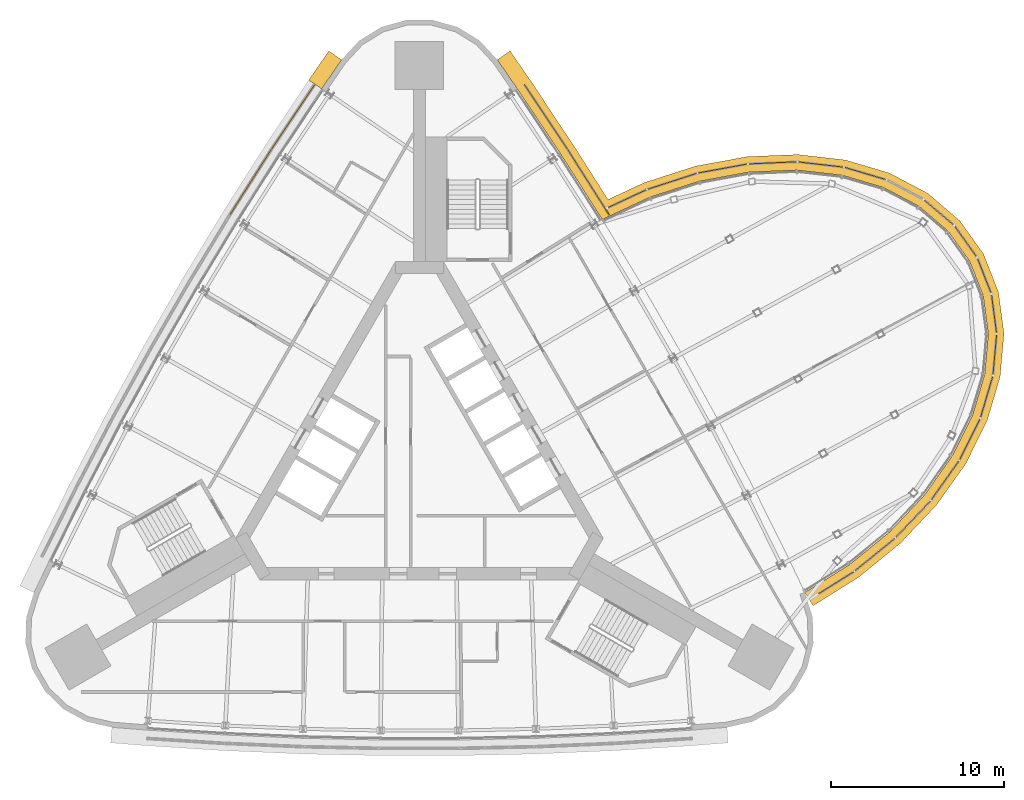
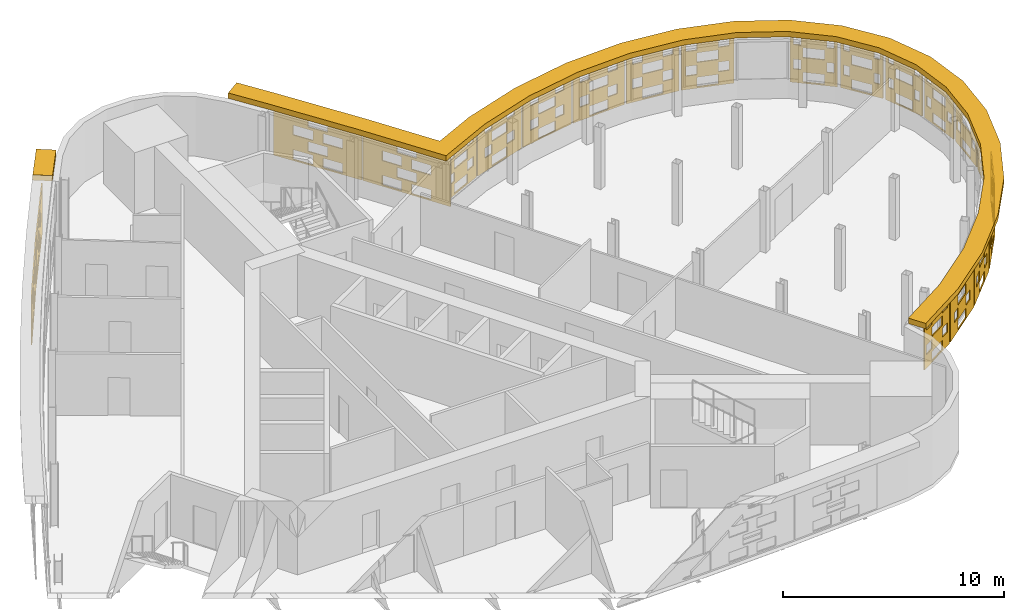
# One storey, part 14 of 15: 23 shading devices.
"""IFC4 building model written with IfcOpenShell, lengths in metres."""

import ifcopenshell
import ifcopenshell.guid

model = None  # the IFC model being written
_history = None  # IfcOwnerHistory: only IFC2X3 demands one
_inside = {}  # id of a spatial element -> (the spatial element, [elements in it])
_under = {}  # id of a project, library or spatial element -> (it, [spatial elements below it])
_declared = {}  # id of a project -> (the project, [libraries it declares])
_typed = {}  # id of a type object -> (the type object, [elements of that type])
_made_of = {}  # id of a material, layer set ... -> (it, [elements and type objects made of it])


def new_model(schema):
    """Start an empty IFC model of exactly this schema.

    Asked for "IFC4X3", IfcOpenShell would pick the latest addendum, in which some entities
    have other attributes; the version numbers below select the first issue.
    IFC2X3 requires an IfcOwnerHistory on every rooted entity: one is made here for all.
    """
    global model, _history
    if schema == "IFC4X3":
        model = ifcopenshell.file(schema_version=(4, 3, 0, 0))
    else:
        model = ifcopenshell.file(schema=schema)
    _inside.clear()
    _under.clear()
    _declared.clear()
    _typed.clear()
    _made_of.clear()
    _history = None
    if model.schema == "IFC2X3":
        org = make("IfcOrganization", Name="unknown")
        user = make(
            "IfcPersonAndOrganization",
            ThePerson=make("IfcPerson", FamilyName="unknown"),
            TheOrganization=org,
        )
        app = make(
            "IfcApplication",
            ApplicationDeveloper=org,
            Version="unknown",
            ApplicationFullName="unknown",
            ApplicationIdentifier="unknown",
        )
        _history = make(
            "IfcOwnerHistory",
            OwningUser=user,
            OwningApplication=app,
            ChangeAction="ADDED",
            CreationDate=0,
        )
    return model


def make(cls, **values):
    """One entity of the class cls with the attributes given. An attribute that is None is left unset."""
    return model.create_entity(
        cls, **{name: value for name, value in values.items() if value is not None}
    )


def rooted(cls, **values):
    """An entity with a GlobalId (a new one), such as an element, a storey or a relation."""
    return make(cls, GlobalId=ifcopenshell.guid.new(), OwnerHistory=_history, **values)


def si_unit(unit_type, name, prefix=None):
    """IfcSIUnit, for example si_unit("LENGTHUNIT", "METRE", prefix="MILLI")."""
    return make("IfcSIUnit", UnitType=unit_type, Prefix=prefix, Name=name)


def assignment(units):
    """IfcUnitAssignment: the units of a project."""
    return None if units is None else make("IfcUnitAssignment", Units=units)


def point(xyz):
    """IfcCartesianPoint."""
    return None if xyz is None else make("IfcCartesianPoint", Coordinates=xyz)


def direction(xyz):
    """IfcDirection."""
    return None if xyz is None else make("IfcDirection", DirectionRatios=xyz)


def frame(location, z_axis=None, x_axis=None):
    """IfcAxis2Placement3D, a coordinate frame: its origin and axes. An axis left out is left unset."""
    return make(
        "IfcAxis2Placement3D",
        Location=point(location),
        Axis=direction(z_axis),
        RefDirection=direction(x_axis),
    )


def origin():
    """The frame at (0, 0, 0) with its axes left unset."""
    return frame((0.0, 0.0, 0.0))


def place(relative_to, where):
    """IfcLocalPlacement: puts the frame where relative to a parent placement (None: the world)."""
    return make(
        "IfcLocalPlacement", PlacementRelTo=relative_to, RelativePlacement=where
    )


def context(
    kind, dimensions, precision=None, world=None, true_north=None, identifier=None
):
    """IfcGeometricRepresentationContext, for example the 3D "Model" context."""
    return make(
        "IfcGeometricRepresentationContext",
        ContextIdentifier=identifier,
        ContextType=kind,
        CoordinateSpaceDimension=dimensions,
        Precision=precision,
        WorldCoordinateSystem=world,
        TrueNorth=true_north,
    )


def subcontext(parent, identifier, kind, view, scale=None):
    """IfcGeometricRepresentationSubContext, for example "Body" below "Model"."""
    return make(
        "IfcGeometricRepresentationSubContext",
        ContextIdentifier=identifier,
        ContextType=kind,
        ParentContext=parent,
        TargetScale=scale,
        TargetView=view,
    )


def project(units=None, contexts=None):
    """IfcProject with its units and contexts."""
    return rooted(
        "IfcProject",
        Name="project",
        RepresentationContexts=contexts,
        UnitsInContext=assignment(units),
    )


def spatial(cls, under=None, at=None, **own):
    """A site, building, storey or space (cls), placed at a placement, below another one or the project."""
    s = rooted(cls, ObjectPlacement=at, **own)
    if under is not None:
        _under.setdefault(under.id(), (under, []))[1].append(s)
    return s


def polyline(points):
    """IfcPolyline through the points."""
    return make("IfcPolyline", Points=[point(p) for p in points])


def outline(outer, holes=None, kind="AREA"):
    """IfcArbitraryClosedProfileDef: a profile drawn as a closed curve; with holes, ...WithVoids."""
    if holes is None:
        return make("IfcArbitraryClosedProfileDef", ProfileType=kind, OuterCurve=outer)
    return make(
        "IfcArbitraryProfileDefWithVoids",
        ProfileType=kind,
        OuterCurve=outer,
        InnerCurves=holes,
    )


def extrude(swept, where, along, depth):
    """IfcExtrudedAreaSolid: the profile swept, set in the frame where, extruded along a direction by depth."""
    return make(
        "IfcExtrudedAreaSolid",
        SweptArea=swept,
        Position=where,
        ExtrudedDirection=direction(along),
        Depth=depth,
    )


def shape(context_of_items, identifier, shape_type, items):
    """IfcShapeRepresentation: the items that make up one representation, for example the "Body"."""
    return make(
        "IfcShapeRepresentation",
        ContextOfItems=context_of_items,
        RepresentationIdentifier=identifier,
        RepresentationType=shape_type,
        Items=items,
    )


def material(Name=None, Category=None):
    """IfcMaterial."""
    return make("IfcMaterial", Name=Name, Category=Category)


def layer(
    of_material, thickness, ventilated=None, Name=None, Category=None, Priority=None
):
    """IfcMaterialLayer: one layer of a wall or slab, of a material (None: an air gap)."""
    return make(
        "IfcMaterialLayer",
        Material=of_material,
        LayerThickness=thickness,
        IsVentilated=ventilated,
        Name=Name,
        Category=Category,
        Priority=Priority,
    )


def layer_set(layers, Name=None):
    """IfcMaterialLayerSet."""
    return make("IfcMaterialLayerSet", MaterialLayers=layers, LayerSetName=Name)


def material_profile(
    of_material, cross_section, Name=None, Category=None, Priority=None
):
    """IfcMaterialProfile: a cross section and its material."""
    return make(
        "IfcMaterialProfile",
        Name=Name,
        Material=of_material,
        Profile=cross_section,
        Priority=Priority,
        Category=Category,
    )


def profile_set(profiles, Name=None, composite=None):
    """IfcMaterialProfileSet."""
    return make(
        "IfcMaterialProfileSet",
        Name=Name,
        MaterialProfiles=profiles,
        CompositeProfile=composite,
    )


def made_of(thing, what):
    """Note that an element or type object is made of a material, layer set ...; save() writes the relation."""
    if what is not None:
        _made_of.setdefault(what.id(), (what, []))[1].append(thing)
    return thing


def type_object(cls, material=None, **own):
    """A type object (cls), such as IfcWallType, which elements share."""
    return made_of(rooted(cls, **own), material)


def element(
    cls,
    number,
    at=None,
    inside=None,
    cuts=None,
    type_object=None,
    material=None,
    context=None,
    identifier="Body",
    shape_type=None,
    held_by="IfcProductDefinitionShape",
    body=None,
    shapes=None,
    **own,
):
    """One element of the class cls, such as IfcWall. Its Tag is "e" and its number.

    at: its placement. inside: the storey or other place that contains it. cuts: it is an
    opening in that element (IfcRelVoidsElement). A single representation is given by context,
    identifier, shape_type and body (its items); several are given by shapes. held_by: the class
    of the entity that holds the representations. save() writes the other relations.
    """
    e = rooted(cls, Tag="e%d" % number, ObjectPlacement=at, **own)
    if body is not None:
        shapes = [shape(context, identifier, shape_type, body)]
    if shapes is not None:
        e.Representation = make(held_by, Representations=shapes)
    if inside is not None:
        _inside.setdefault(inside.id(), (inside, []))[1].append(e)
    if cuts is not None:
        rooted(
            "IfcRelVoidsElement", RelatingBuildingElement=cuts, RelatedOpeningElement=e
        )
    if type_object is not None:
        _typed.setdefault(type_object.id(), (type_object, []))[1].append(e)
    return made_of(e, material)


def aggregate(whole, parts):
    """IfcRelAggregates: a whole, such as a stair, and the parts it consists of."""
    return rooted("IfcRelAggregates", RelatingObject=whole, RelatedObjects=parts)


def save(model, path):
    """Write the relations noted so far, then the file.

    IfcRelAggregates (storeys below a building ...), IfcRelContainedInSpatialStructure (elements
    in a storey), IfcRelDefinesByType, IfcRelAssociatesMaterial and IfcRelDeclares: one each for
    every whole, place, type object, material and project.
    """
    for whole, parts in _under.values():
        aggregate(whole, parts)
    for where, things in _inside.values():
        rooted(
            "IfcRelContainedInSpatialStructure",
            RelatedElements=things,
            RelatingStructure=where,
        )
    for kind, things in _typed.values():
        rooted("IfcRelDefinesByType", RelatedObjects=things, RelatingType=kind)
    for what, things in _made_of.values():
        rooted("IfcRelAssociatesMaterial", RelatedObjects=things, RelatingMaterial=what)
    for by, libraries in _declared.values():
        rooted("IfcRelDeclares", RelatingContext=by, RelatedDefinitions=libraries)
    model.write(path)


model = new_model("IFC4")

# Units and contexts
model_context = context("Model", 3, precision=1e-05, world=origin(), true_north=direction((0.0, 1.0)))
body_context = subcontext(model_context, "Body", "Model", "MODEL_VIEW")
ifc_project = project(units=[si_unit("LENGTHUNIT", "METRE"), si_unit("AREAUNIT", "SQUARE_METRE"), si_unit("VOLUMEUNIT", "CUBIC_METRE"), si_unit("PLANEANGLEUNIT", "RADIAN"), si_unit("MASSUNIT", "GRAM", prefix="KILO")], contexts=[model_context])

# Site, building, storey
site_placement = place(None, origin())
site = spatial("IfcSite", under=ifc_project, at=site_placement, CompositionType="ELEMENT")
building_placement = place(site_placement, origin())
building = spatial("IfcBuilding", under=site, at=building_placement, Name="Noor Cloister Tower", CompositionType="ELEMENT")
storey_placement = place(building_placement, frame((0.0, 0.0, 177.89990234375)))
storey = spatial("IfcBuildingStorey", under=building, at=storey_placement, Name="L45", CompositionType="ELEMENT", Elevation=177.89990234375)

# Shading devices
ifc_material_1 = material(Name="Limestone", Category="masonry")
ifc_material_profile = material_profile(ifc_material_1, outline(polyline([(-2.22998046875, -1.35009765625), (2.22998046875, -1.35009765625), (2.22998046875, 1.35009765625), (-2.22998046875, 1.35009765625), (-2.22998046875, -1.35009765625)]), holes=[polyline([(-1.25, -1.282470703125), (-0.25, -1.282470703125), (-0.25, -0.742431640625), (-1.25, -0.742431640625), (-1.25, -1.282470703125)]), polyline([(0.25, -1.282470703125), (1.25, -1.282470703125), (1.25, -0.742431640625), (0.25, -0.742431640625), (0.25, -1.282470703125)]), polyline([(-0.5, -0.607421875), (0.5, -0.607421875), (0.5, -0.0673828125), (-0.5, -0.0673828125), (-0.5, -0.607421875)]), polyline([(-1.25, 0.0673828125), (-0.25, 0.0673828125), (-0.25, 0.607421875), (-1.25, 0.607421875), (-1.25, 0.0673828125)]), polyline([(0.25, 0.0673828125), (1.25, 0.0673828125), (1.25, 0.607421875), (0.25, 0.607421875), (0.25, 0.0673828125)]), polyline([(-0.5, 0.742431640625), (0.5, 0.742431640625), (0.5, 1.282470703125), (-0.5, 1.282470703125), (-0.5, 0.742431640625)])]), Name="Woven screen 32 percent open")
ifc_profile_set = profile_set([ifc_material_profile], Name="Limestone")
shading_device_type_1 = type_object("IfcShadingDeviceType", Name="SCREEN woven limestone 32 percent open", PredefinedType="USERDEFINED", material=ifc_profile_set)
shading_device_1_placement = place(storey_placement, frame((-7.2734375, 19.809326171875, 1.85009765625), z_axis=(-0.832050294338, 0.554700196225, 0.0), x_axis=(-0.554700196225, -0.832050294338, 0.0)))
element("IfcShadingDevice", 1, at=shading_device_1_placement, inside=storey, type_object=shading_device_type_1, Name="SCREEN L45 1", ObjectType="SCREEN", PredefinedType="USERDEFINED", context=body_context, shape_type="SweptSolid", body=[
    extrude(outline(polyline([(-2.22998046875, -1.35009765625), (2.22998046875, -1.35009765625), (2.22998046875, 1.35009765625), (-2.22998046875, 1.35009765625), (-2.22998046875, -1.35009765625)]), holes=[polyline([(-1.25, -1.282470703125), (-0.25, -1.282470703125), (-0.25, -0.742431640625), (-1.25, -0.742431640625), (-1.25, -1.282470703125)]), polyline([(0.25, -1.282470703125), (1.25, -1.282470703125), (1.25, -0.742431640625), (0.25, -0.742431640625), (0.25, -1.282470703125)]), polyline([(-0.5, -0.607421875), (0.5, -0.607421875), (0.5, -0.0673828125), (-0.5, -0.0673828125), (-0.5, -0.607421875)]), polyline([(-1.25, 0.0673828125), (-0.25, 0.0673828125), (-0.25, 0.607421875), (-1.25, 0.607421875), (-1.25, 0.0673828125)]), polyline([(0.25, 0.0673828125), (1.25, 0.0673828125), (1.25, 0.607421875), (0.25, 0.607421875), (0.25, 0.0673828125)]), polyline([(-0.5, 0.742431640625), (0.5, 0.742431640625), (0.5, 1.282470703125), (-0.5, 1.282470703125), (-0.5, 0.742431640625)])]), origin(), (0.0, 0.0, 1.0), 0.059814453125),
])
for number, where, z_axis, x_axis, name in (
    (2, (-9.7314453125, 16.029052734375, 1.85009765625), (-0.844329420183, 0.535824439731, 0.0), (-0.535824439731, -0.844329420183, 0.0), "SCREEN L45 2"),
    (3, (9.7314453125, 16.029052734375, 1.85009765625), (0.844329420183, 0.535824439731, 0.0), (-0.535824439731, 0.844329420183, 0.0), "SCREEN L45 19"),
):
    element("IfcShadingDevice", number, at=place(storey_placement, frame(where, z_axis=z_axis, x_axis=x_axis)), inside=storey, type_object=shading_device_type_1, Name=name, ObjectType="SCREEN", PredefinedType="USERDEFINED", context=body_context, shape_type="SweptSolid", body=[
        extrude(outline(polyline([(-2.22998046875, -1.35009765625), (2.22998046875, -1.35009765625), (2.22998046875, 1.35009765625), (-2.22998046875, 1.35009765625), (-2.22998046875, -1.35009765625)]), holes=[polyline([(-1.25, -1.282470703125), (-0.25, -1.282470703125), (-0.25, -0.742431640625), (-1.25, -0.742431640625), (-1.25, -1.282470703125)]), polyline([(0.25, -1.282470703125), (1.25, -1.282470703125), (1.25, -0.742431640625), (0.25, -0.742431640625), (0.25, -1.282470703125)]), polyline([(-0.5, -0.607421875), (0.5, -0.607421875), (0.5, -0.0673828125), (-0.5, -0.0673828125), (-0.5, -0.607421875)]), polyline([(-1.25, 0.0673828125), (-0.25, 0.0673828125), (-0.25, 0.607421875), (-1.25, 0.607421875), (-1.25, 0.0673828125)]), polyline([(0.25, 0.0673828125), (1.25, 0.0673828125), (1.25, 0.607421875), (0.25, 0.607421875), (0.25, 0.0673828125)]), polyline([(-0.5, 0.742431640625), (0.5, 0.742431640625), (0.5, 1.282470703125), (-0.5, 1.282470703125), (-0.5, 0.742431640625)])]), origin(), (0.0, 0.0, 1.0), 0.06005859375),
    ])
shading_device_2_placement = place(storey_placement, frame((7.2734375, 19.809326171875, 1.85009765625), z_axis=(0.832050294338, 0.554700196225, 0.0), x_axis=(-0.554700196225, 0.832050294338, 0.0)))
element("IfcShadingDevice", 4, at=shading_device_2_placement, inside=storey, type_object=shading_device_type_1, Name="SCREEN L45 20", ObjectType="SCREEN", PredefinedType="USERDEFINED", context=body_context, shape_type="SweptSolid", body=[
    extrude(outline(polyline([(-2.22998046875, -1.35009765625), (2.22998046875, -1.35009765625), (2.22998046875, 1.35009765625), (-2.22998046875, 1.35009765625), (-2.22998046875, -1.35009765625)]), holes=[polyline([(-1.25, -1.282470703125), (-0.25, -1.282470703125), (-0.25, -0.742431640625), (-1.25, -0.742431640625), (-1.25, -1.282470703125)]), polyline([(0.25, -1.282470703125), (1.25, -1.282470703125), (1.25, -0.742431640625), (0.25, -0.742431640625), (0.25, -1.282470703125)]), polyline([(-0.5, -0.607421875), (0.5, -0.607421875), (0.5, -0.0673828125), (-0.5, -0.0673828125), (-0.5, -0.607421875)]), polyline([(-1.25, 0.0673828125), (-0.25, 0.0673828125), (-0.25, 0.607421875), (-1.25, 0.607421875), (-1.25, 0.0673828125)]), polyline([(0.25, 0.0673828125), (1.25, 0.0673828125), (1.25, 0.607421875), (0.25, 0.607421875), (0.25, 0.0673828125)]), polyline([(-0.5, 0.742431640625), (0.5, 0.742431640625), (0.5, 1.282470703125), (-0.5, 1.282470703125), (-0.5, 0.742431640625)])]), origin(), (0.0, 0.0, 1.0), 0.059814453125),
])
ifc_material_2 = material(Name="Limestone", Category="masonry")
ifc_layer = layer(ifc_material_2, 0.06005859375)
ifc_layer_set = layer_set([ifc_layer], Name="SCREEN woven limestone pod 32 percent open")
shading_device_type_2 = type_object("IfcShadingDeviceType", Name="SCREEN woven limestone pod 32 percent open", PredefinedType="USERDEFINED", material=ifc_layer_set)
shading_device_3_placement = place(storey_placement, frame((24.048583984375, -7.07763671875, 1.85009765625), z_axis=(0.529998940003, -0.847998304005, 0.0), x_axis=(0.847998304005, 0.529998940003, 0.0)))
element("IfcShadingDevice", 5, at=shading_device_3_placement, inside=storey, type_object=shading_device_type_2, Name="SCREEN L45 1", ObjectType="SCREEN", PredefinedType="USERDEFINED", context=body_context, shape_type="SweptSolid", body=[
    extrude(outline(polyline([(-1.202392578125, -1.35009765625), (1.202392578125, -1.35009765625), (1.202392578125, 1.35009765625), (-1.202392578125, 1.35009765625), (-1.202392578125, -1.35009765625)]), holes=[polyline([(-0.5, -1.272216796875), (0.5, -1.272216796875), (0.5, -0.7529296875), (-0.5, -0.7529296875), (-0.5, -1.272216796875)]), polyline([(-1.0, -0.59716796875), (-0.5, -0.59716796875), (-0.5, -0.077880859375), (-1.0, -0.077880859375), (-1.0, -0.59716796875)]), polyline([(0.5, -0.59716796875), (1.0, -0.59716796875), (1.0, -0.077880859375), (0.5, -0.077880859375), (0.5, -0.59716796875)]), polyline([(-0.5, 0.077880859375), (0.5, 0.077880859375), (0.5, 0.59716796875), (-0.5, 0.59716796875), (-0.5, 0.077880859375)]), polyline([(-1.0, 0.7529296875), (-0.5, 0.7529296875), (-0.5, 1.272216796875), (-1.0, 1.272216796875), (-1.0, 0.7529296875)]), polyline([(0.5, 0.7529296875), (1.0, 0.7529296875), (1.0, 1.272216796875), (0.5, 1.272216796875), (0.5, 0.7529296875)])]), origin(), (0.0, 0.0, 1.0), 0.059814453125),
])
shading_device_4_placement = place(storey_placement, frame((26.29296875, -5.45068359375, 1.85009765625), z_axis=(0.630133366333, -0.776486922384, 0.0), x_axis=(0.776486922384, 0.630133366333, 0.0)))
element("IfcShadingDevice", 6, at=shading_device_4_placement, inside=storey, type_object=shading_device_type_2, Name="SCREEN L45 2", ObjectType="SCREEN", PredefinedType="USERDEFINED", context=body_context, shape_type="SweptSolid", body=[
    extrude(outline(polyline([(-1.47900390625, -1.35009765625), (1.47900390625, -1.35009765625), (1.47900390625, 1.35009765625), (-1.47900390625, 1.35009765625), (-1.47900390625, -1.35009765625)]), holes=[polyline([(-0.5, -1.282470703125), (0.5, -1.282470703125), (0.5, -0.742431640625), (-0.5, -0.742431640625), (-0.5, -1.282470703125)]), polyline([(-1.0, -0.607421875), (-0.5, -0.607421875), (-0.5, -0.0673828125), (-1.0, -0.0673828125), (-1.0, -0.607421875)]), polyline([(0.5, -0.607421875), (1.0, -0.607421875), (1.0, -0.0673828125), (0.5, -0.0673828125), (0.5, -0.607421875)]), polyline([(-0.5, 0.0673828125), (0.5, 0.0673828125), (0.5, 0.607421875), (-0.5, 0.607421875), (-0.5, 0.0673828125)]), polyline([(-1.0, 0.742431640625), (-0.5, 0.742431640625), (-0.5, 1.282470703125), (-1.0, 1.282470703125), (-1.0, 0.742431640625)]), polyline([(0.5, 0.742431640625), (1.0, 0.742431640625), (1.0, 1.282470703125), (0.5, 1.282470703125), (0.5, 0.742431640625)])]), origin(), (0.0, 0.0, 1.0), 0.06005859375),
])
shading_device_5_placement = place(storey_placement, frame((28.49755859375, -3.40771484375, 1.85009765625), z_axis=(0.725202842945, -0.688535283471, 0.0), x_axis=(0.688535283471, 0.725202842945, 0.0)))
element("IfcShadingDevice", 7, at=shading_device_5_placement, inside=storey, type_object=shading_device_type_2, Name="SCREEN L45 3", ObjectType="SCREEN", PredefinedType="USERDEFINED", context=body_context, shape_type="SweptSolid", body=[
    extrude(outline(polyline([(-1.434326171875, -1.35009765625), (1.434326171875, -1.35009765625), (1.434326171875, 1.35009765625), (-1.434326171875, 1.35009765625), (-1.434326171875, -1.35009765625)]), holes=[polyline([(-0.5, -1.282470703125), (0.5, -1.282470703125), (0.5, -0.742431640625), (-0.5, -0.742431640625), (-0.5, -1.282470703125)]), polyline([(-1.0, -0.607421875), (-0.5, -0.607421875), (-0.5, -0.0673828125), (-1.0, -0.0673828125), (-1.0, -0.607421875)]), polyline([(0.5, -0.607421875), (1.0, -0.607421875), (1.0, -0.0673828125), (0.5, -0.0673828125), (0.5, -0.607421875)]), polyline([(-0.5, 0.0673828125), (0.5, 0.0673828125), (0.5, 0.607421875), (-0.5, 0.607421875), (-0.5, 0.0673828125)]), polyline([(-1.0, 0.742431640625), (-0.5, 0.742431640625), (-0.5, 1.282470703125), (-1.0, 1.282470703125), (-1.0, 0.742431640625)]), polyline([(0.5, 0.742431640625), (1.0, 0.742431640625), (1.0, 1.282470703125), (0.5, 1.282470703125), (0.5, 0.742431640625)])]), origin(), (0.0, 0.0, 1.0), 0.059814453125),
])
shading_device_6_placement = place(storey_placement, frame((30.341796875, -1.167236328125, 1.85009765625), z_axis=(0.81538298462, -0.57892191908, 0.0), x_axis=(0.57892191908, 0.81538298462, 0.0)))
element("IfcShadingDevice", 8, at=shading_device_6_placement, inside=storey, type_object=shading_device_type_2, Name="SCREEN L45 4", ObjectType="SCREEN", PredefinedType="USERDEFINED", context=body_context, shape_type="SweptSolid", body=[
    extrude(outline(polyline([(-1.37158203125, -1.35009765625), (1.37158203125, -1.35009765625), (1.37158203125, 1.35009765625), (-1.37158203125, 1.35009765625), (-1.37158203125, -1.35009765625)]), holes=[polyline([(-0.5, -1.282470703125), (0.5, -1.282470703125), (0.5, -0.742431640625), (-0.5, -0.742431640625), (-0.5, -1.282470703125)]), polyline([(-1.0, -0.607421875), (-0.5, -0.607421875), (-0.5, -0.0673828125), (-1.0, -0.0673828125), (-1.0, -0.607421875)]), polyline([(0.5, -0.607421875), (1.0, -0.607421875), (1.0, -0.0673828125), (0.5, -0.0673828125), (0.5, -0.607421875)]), polyline([(-0.5, 0.0673828125), (0.5, 0.0673828125), (0.5, 0.607421875), (-0.5, 0.607421875), (-0.5, 0.0673828125)]), polyline([(-1.0, 0.742431640625), (-0.5, 0.742431640625), (-0.5, 1.282470703125), (-1.0, 1.282470703125), (-1.0, 0.742431640625)]), polyline([(0.5, 0.742431640625), (1.0, 0.742431640625), (1.0, 1.282470703125), (0.5, 1.282470703125), (0.5, 0.742431640625)])]), origin(), (0.0, 0.0, 1.0), 0.059814453125),
])
shading_device_7_placement = place(storey_placement, frame((31.769775390625, 1.20654296875, 1.85009765625), z_axis=(0.894427191, -0.4472135955, 0.0), x_axis=(0.4472135955, 0.894427191, 0.0)))
element("IfcShadingDevice", 9, at=shading_device_7_placement, inside=storey, type_object=shading_device_type_2, Name="SCREEN L45 5", ObjectType="SCREEN", PredefinedType="USERDEFINED", context=body_context, shape_type="SweptSolid", body=[
    extrude(outline(polyline([(-1.296875, -1.35009765625), (1.296875, -1.35009765625), (1.296875, 1.35009765625), (-1.296875, 1.35009765625), (-1.296875, -1.35009765625)]), holes=[polyline([(-0.5, -1.282470703125), (0.5, -1.282470703125), (0.5, -0.742431640625), (-0.5, -0.742431640625), (-0.5, -1.282470703125)]), polyline([(-1.0, -0.607421875), (-0.5, -0.607421875), (-0.5, -0.0673828125), (-1.0, -0.0673828125), (-1.0, -0.607421875)]), polyline([(0.5, -0.607421875), (1.0, -0.607421875), (1.0, -0.0673828125), (0.5, -0.0673828125), (0.5, -0.607421875)]), polyline([(-0.5, 0.0673828125), (0.5, 0.0673828125), (0.5, 0.607421875), (-0.5, 0.607421875), (-0.5, 0.0673828125)]), polyline([(-1.0, 0.742431640625), (-0.5, 0.742431640625), (-0.5, 1.282470703125), (-1.0, 1.282470703125), (-1.0, 0.742431640625)]), polyline([(0.5, 0.742431640625), (1.0, 0.742431640625), (1.0, 1.282470703125), (0.5, 1.282470703125), (0.5, 0.742431640625)])]), origin(), (0.0, 0.0, 1.0), 0.06005859375),
])
shading_device_8_placement = place(storey_placement, frame((32.736328125, 3.645263671875, 1.85009765625), z_axis=(0.958716108487, -0.284364947432, 0.0), x_axis=(0.284364947432, 0.958716108487, 0.0)))
element("IfcShadingDevice", 10, at=shading_device_8_placement, inside=storey, type_object=shading_device_type_2, Name="SCREEN L45 6", ObjectType="SCREEN", PredefinedType="USERDEFINED", context=body_context, shape_type="SweptSolid", body=[
    extrude(outline(polyline([(-1.2177734375, -1.35009765625), (1.2177734375, -1.35009765625), (1.2177734375, 1.35009765625), (-1.2177734375, 1.35009765625), (-1.2177734375, -1.35009765625)]), holes=[polyline([(-0.5, -1.275634765625), (0.5, -1.275634765625), (0.5, -0.74951171875), (-0.5, -0.74951171875), (-0.5, -1.275634765625)]), polyline([(-1.0, -0.6005859375), (-0.5, -0.6005859375), (-0.5, -0.074462890625), (-1.0, -0.074462890625), (-1.0, -0.6005859375)]), polyline([(0.5, -0.6005859375), (1.0, -0.6005859375), (1.0, -0.074462890625), (0.5, -0.074462890625), (0.5, -0.6005859375)]), polyline([(-0.5, 0.074462890625), (0.5, 0.074462890625), (0.5, 0.6005859375), (-0.5, 0.6005859375), (-0.5, 0.074462890625)]), polyline([(-1.0, 0.74951171875), (-0.5, 0.74951171875), (-0.5, 1.275634765625), (-1.0, 1.275634765625), (-1.0, 0.74951171875)]), polyline([(0.5, 0.74951171875), (1.0, 0.74951171875), (1.0, 1.275634765625), (0.5, 1.275634765625), (0.5, 0.74951171875)])]), origin(), (0.0, 0.0, 1.0), 0.06005859375),
])
shading_device_9_placement = place(storey_placement, frame((33.2080078125, 6.078369140625, 1.85009765625), z_axis=(0.995959849254, -0.089799658539, 0.0), x_axis=(0.089799658539, 0.995959849254, 0.0)))
element("IfcShadingDevice", 11, at=shading_device_9_placement, inside=storey, type_object=shading_device_type_2, Name="SCREEN L45 7", ObjectType="SCREEN", PredefinedType="USERDEFINED", context=body_context, shape_type="SweptSolid", body=[
    extrude(outline(polyline([(-1.1435546875, -1.35009765625), (1.1435546875, -1.35009765625), (1.1435546875, 1.35009765625), (-1.1435546875, 1.35009765625), (-1.1435546875, -1.35009765625)]), holes=[polyline([(-0.5, -1.282470703125), (0.5, -1.282470703125), (0.5, -0.742431640625), (-0.5, -0.742431640625), (-0.5, -1.282470703125)]), polyline([(0.60009765625, -0.607421875), (0.993408203125, -0.607421875), (0.993408203125, -0.0673828125), (0.60009765625, -0.0673828125), (0.60009765625, -0.607421875)]), polyline([(-0.993408203125, -0.607421875), (-0.60009765625, -0.607421875), (-0.60009765625, -0.0673828125), (-0.993408203125, -0.0673828125), (-0.993408203125, -0.607421875)]), polyline([(-0.5, 0.0673828125), (0.5, 0.0673828125), (0.5, 0.607421875), (-0.5, 0.607421875), (-0.5, 0.0673828125)]), polyline([(0.60009765625, 0.742431640625), (0.993408203125, 0.742431640625), (0.993408203125, 1.282470703125), (0.60009765625, 1.282470703125), (0.60009765625, 0.742431640625)]), polyline([(-0.993408203125, 0.742431640625), (-0.60009765625, 0.742431640625), (-0.60009765625, 1.282470703125), (-0.993408203125, 1.282470703125), (-0.993408203125, 0.742431640625)])]), origin(), (0.0, 0.0, 1.0), 0.059814453125),
])
shading_device_10_placement = place(storey_placement, frame((33.163818359375, 8.432373046875, 1.85009765625), z_axis=(0.991509530601, 0.1300340368, 0.0), x_axis=(-0.1300340368, 0.991509530601, 0.0)))
element("IfcShadingDevice", 12, at=shading_device_10_placement, inside=storey, type_object=shading_device_type_2, Name="SCREEN L45 8", ObjectType="SCREEN", PredefinedType="USERDEFINED", context=body_context, shape_type="SweptSolid", body=[
    extrude(outline(polyline([(-1.085205078125, -1.35009765625), (1.085205078125, -1.35009765625), (1.085205078125, 1.35009765625), (-1.085205078125, 1.35009765625), (-1.085205078125, -1.35009765625)]), holes=[polyline([(-0.5, -1.282470703125), (0.5, -1.282470703125), (0.5, -0.742431640625), (-0.5, -0.742431640625), (-0.5, -1.282470703125)]), polyline([(0.60009765625, -0.607421875), (0.935302734375, -0.607421875), (0.935302734375, -0.0673828125), (0.60009765625, -0.0673828125), (0.60009765625, -0.607421875)]), polyline([(-0.935302734375, -0.607421875), (-0.60009765625, -0.607421875), (-0.60009765625, -0.0673828125), (-0.935302734375, -0.0673828125), (-0.935302734375, -0.607421875)]), polyline([(-0.5, 0.0673828125), (0.5, 0.0673828125), (0.5, 0.607421875), (-0.5, 0.607421875), (-0.5, 0.0673828125)]), polyline([(0.60009765625, 0.742431640625), (0.935302734375, 0.742431640625), (0.935302734375, 1.282470703125), (0.60009765625, 1.282470703125), (0.60009765625, 0.742431640625)]), polyline([(-0.935302734375, 0.742431640625), (-0.60009765625, 0.742431640625), (-0.60009765625, 1.282470703125), (-0.935302734375, 1.282470703125), (-0.935302734375, 0.742431640625)])]), origin(), (0.0, 0.0, 1.0), 0.06005859375),
])
for number, where, z_axis, x_axis, name in (
    (13, (32.599609375, 10.631591796875, 1.85009765625), (0.930702085815, 0.365778112329, 0.0), (-0.365778112329, 0.930702085815, 0.0), "SCREEN L45 9"),
    (14, (31.52978515625, 12.600830078125, 1.85009765625), (0.813458563169, 0.581622872666, 0.0), (-0.581622872666, 0.813458563169, 0.0), "SCREEN L45 10"),
):
    element("IfcShadingDevice", number, at=place(storey_placement, frame(where, z_axis=z_axis, x_axis=x_axis)), inside=storey, type_object=shading_device_type_2, Name=name, ObjectType="SCREEN", PredefinedType="USERDEFINED", context=body_context, shape_type="SweptSolid", body=[
        extrude(outline(polyline([(-1.052978515625, -1.35009765625), (1.052978515625, -1.35009765625), (1.052978515625, 1.35009765625), (-1.052978515625, 1.35009765625), (-1.052978515625, -1.35009765625)]), holes=[polyline([(-0.5, -1.282470703125), (0.5, -1.282470703125), (0.5, -0.742431640625), (-0.5, -0.742431640625), (-0.5, -1.282470703125)]), polyline([(0.60009765625, -0.607421875), (0.903076171875, -0.607421875), (0.903076171875, -0.0673828125), (0.60009765625, -0.0673828125), (0.60009765625, -0.607421875)]), polyline([(-0.903076171875, -0.607421875), (-0.60009765625, -0.607421875), (-0.60009765625, -0.0673828125), (-0.903076171875, -0.0673828125), (-0.903076171875, -0.607421875)]), polyline([(-0.5, 0.0673828125), (0.5, 0.0673828125), (0.5, 0.607421875), (-0.5, 0.607421875), (-0.5, 0.0673828125)]), polyline([(0.60009765625, 0.742431640625), (0.903076171875, 0.742431640625), (0.903076171875, 1.282470703125), (0.60009765625, 1.282470703125), (0.60009765625, 0.742431640625)]), polyline([(-0.903076171875, 0.742431640625), (-0.60009765625, 0.742431640625), (-0.60009765625, 1.282470703125), (-0.903076171875, 1.282470703125), (-0.903076171875, 0.742431640625)])]), origin(), (0.0, 0.0, 1.0), 0.06005859375),
    ])
shading_device_11_placement = place(storey_placement, frame((29.9921875, 14.271240234375, 1.85009765625), z_axis=(0.647766670763, 0.761838788884, 0.0), x_axis=(-0.761838788884, 0.647766670763, 0.0)))
element("IfcShadingDevice", 15, at=shading_device_11_placement, inside=storey, type_object=shading_device_type_2, Name="SCREEN L45 11", ObjectType="SCREEN", PredefinedType="USERDEFINED", context=body_context, shape_type="SweptSolid", body=[
    extrude(outline(polyline([(-1.085205078125, -1.35009765625), (1.085205078125, -1.35009765625), (1.085205078125, 1.35009765625), (-1.085205078125, 1.35009765625), (-1.085205078125, -1.35009765625)]), holes=[polyline([(-0.5, -1.282470703125), (0.5, -1.282470703125), (0.5, -0.742431640625), (-0.5, -0.742431640625), (-0.5, -1.282470703125)]), polyline([(0.60009765625, -0.607421875), (0.935302734375, -0.607421875), (0.935302734375, -0.0673828125), (0.60009765625, -0.0673828125), (0.60009765625, -0.607421875)]), polyline([(-0.935302734375, -0.607421875), (-0.60009765625, -0.607421875), (-0.60009765625, -0.0673828125), (-0.935302734375, -0.0673828125), (-0.935302734375, -0.607421875)]), polyline([(-0.5, 0.0673828125), (0.5, 0.0673828125), (0.5, 0.607421875), (-0.5, 0.607421875), (-0.5, 0.0673828125)]), polyline([(0.60009765625, 0.742431640625), (0.935302734375, 0.742431640625), (0.935302734375, 1.282470703125), (0.60009765625, 1.282470703125), (0.60009765625, 0.742431640625)]), polyline([(-0.935302734375, 0.742431640625), (-0.60009765625, 0.742431640625), (-0.60009765625, 1.282470703125), (-0.935302734375, 1.282470703125), (-0.935302734375, 0.742431640625)])]), origin(), (0.0, 0.0, 1.0), 0.059814453125),
])
shading_device_12_placement = place(storey_placement, frame((25.743408203125, 16.518310546875, 1.85009765625), z_axis=(0.284364947432, 0.958716108487, 0.0), x_axis=(-0.958716108487, 0.284364947432, 0.0)))
element("IfcShadingDevice", 16, at=shading_device_12_placement, inside=storey, type_object=shading_device_type_2, Name="SCREEN L45 13", ObjectType="SCREEN", PredefinedType="USERDEFINED", context=body_context, shape_type="SweptSolid", body=[
    extrude(outline(polyline([(-1.2177734375, -1.35009765625), (1.2177734375, -1.35009765625), (1.2177734375, 1.35009765625), (-1.2177734375, 1.35009765625), (-1.2177734375, -1.35009765625)]), holes=[polyline([(-0.5, -1.275634765625), (0.5, -1.275634765625), (0.5, -0.74951171875), (-0.5, -0.74951171875), (-0.5, -1.275634765625)]), polyline([(-1.0, -0.6005859375), (-0.5, -0.6005859375), (-0.5, -0.074462890625), (-1.0, -0.074462890625), (-1.0, -0.6005859375)]), polyline([(0.5, -0.6005859375), (1.0, -0.6005859375), (1.0, -0.074462890625), (0.5, -0.074462890625), (0.5, -0.6005859375)]), polyline([(-0.5, 0.074462890625), (0.5, 0.074462890625), (0.5, 0.6005859375), (-0.5, 0.6005859375), (-0.5, 0.074462890625)]), polyline([(-1.0, 0.74951171875), (-0.5, 0.74951171875), (-0.5, 1.275634765625), (-1.0, 1.275634765625), (-1.0, 0.74951171875)]), polyline([(0.5, 0.74951171875), (1.0, 0.74951171875), (1.0, 1.275634765625), (0.5, 1.275634765625), (0.5, 0.74951171875)])]), origin(), (0.0, 0.0, 1.0), 0.06005859375),
])
shading_device_13_placement = place(storey_placement, frame((23.171630859375, 17.034912109375, 1.85009765625), z_axis=(0.114005909847, 0.993480071526, 0.0), x_axis=(-0.993480071526, 0.114005909847, 0.0)))
element("IfcShadingDevice", 17, at=shading_device_13_placement, inside=storey, type_object=shading_device_type_2, Name="SCREEN L45 14", ObjectType="SCREEN", PredefinedType="USERDEFINED", context=body_context, shape_type="SweptSolid", body=[
    extrude(outline(polyline([(-1.296875, -1.35009765625), (1.296875, -1.35009765625), (1.296875, 1.35009765625), (-1.296875, 1.35009765625), (-1.296875, -1.35009765625)]), holes=[polyline([(-0.5, -1.282470703125), (0.5, -1.282470703125), (0.5, -0.742431640625), (-0.5, -0.742431640625), (-0.5, -1.282470703125)]), polyline([(-1.0, -0.607421875), (-0.5, -0.607421875), (-0.5, -0.0673828125), (-1.0, -0.0673828125), (-1.0, -0.607421875)]), polyline([(0.5, -0.607421875), (1.0, -0.607421875), (1.0, -0.0673828125), (0.5, -0.0673828125), (0.5, -0.607421875)]), polyline([(-0.5, 0.0673828125), (0.5, 0.0673828125), (0.5, 0.607421875), (-0.5, 0.607421875), (-0.5, 0.0673828125)]), polyline([(-1.0, 0.742431640625), (-0.5, 0.742431640625), (-0.5, 1.282470703125), (-1.0, 1.282470703125), (-1.0, 0.742431640625)]), polyline([(0.5, 0.742431640625), (1.0, 0.742431640625), (1.0, 1.282470703125), (0.5, 1.282470703125), (0.5, 0.742431640625)])]), origin(), (0.0, 0.0, 1.0), 0.06005859375),
])
shading_device_14_placement = place(storey_placement, frame((20.403076171875, 17.12890625, 1.85009765625), z_axis=(-0.044670810456, 0.999001761106, 0.0), x_axis=(-0.999001761106, -0.044670810456, 0.0)))
element("IfcShadingDevice", 18, at=shading_device_14_placement, inside=storey, type_object=shading_device_type_2, Name="SCREEN L45 15", ObjectType="SCREEN", PredefinedType="USERDEFINED", context=body_context, shape_type="SweptSolid", body=[
    extrude(outline(polyline([(-1.37158203125, -1.35009765625), (1.37158203125, -1.35009765625), (1.37158203125, 1.35009765625), (-1.37158203125, 1.35009765625), (-1.37158203125, -1.35009765625)]), holes=[polyline([(-0.5, -1.282470703125), (0.5, -1.282470703125), (0.5, -0.742431640625), (-0.5, -0.742431640625), (-0.5, -1.282470703125)]), polyline([(-1.0, -0.607421875), (-0.5, -0.607421875), (-0.5, -0.0673828125), (-1.0, -0.0673828125), (-1.0, -0.607421875)]), polyline([(0.5, -0.607421875), (1.0, -0.607421875), (1.0, -0.0673828125), (0.5, -0.0673828125), (0.5, -0.607421875)]), polyline([(-0.5, 0.0673828125), (0.5, 0.0673828125), (0.5, 0.607421875), (-0.5, 0.607421875), (-0.5, 0.0673828125)]), polyline([(-1.0, 0.742431640625), (-0.5, 0.742431640625), (-0.5, 1.282470703125), (-1.0, 1.282470703125), (-1.0, 0.742431640625)]), polyline([(0.5, 0.742431640625), (1.0, 0.742431640625), (1.0, 1.282470703125), (0.5, 1.282470703125), (0.5, 0.742431640625)])]), origin(), (0.0, 0.0, 1.0), 0.06005859375),
])
shading_device_15_placement = place(storey_placement, frame((17.51953125, 16.80126953125, 1.85009765625), z_axis=(-0.1788854382, 0.9838699101, 0.0), x_axis=(-0.9838699101, -0.1788854382, 0.0)))
element("IfcShadingDevice", 19, at=shading_device_15_placement, inside=storey, type_object=shading_device_type_2, Name="SCREEN L45 16", ObjectType="SCREEN", PredefinedType="USERDEFINED", context=body_context, shape_type="SweptSolid", body=[
    extrude(outline(polyline([(-1.434326171875, -1.35009765625), (1.434326171875, -1.35009765625), (1.434326171875, 1.35009765625), (-1.434326171875, 1.35009765625), (-1.434326171875, -1.35009765625)]), holes=[polyline([(-0.5, -1.282470703125), (0.5, -1.282470703125), (0.5, -0.742431640625), (-0.5, -0.742431640625), (-0.5, -1.282470703125)]), polyline([(-1.0, -0.607421875), (-0.5, -0.607421875), (-0.5, -0.0673828125), (-1.0, -0.0673828125), (-1.0, -0.607421875)]), polyline([(0.5, -0.607421875), (1.0, -0.607421875), (1.0, -0.0673828125), (0.5, -0.0673828125), (0.5, -0.607421875)]), polyline([(-0.5, 0.0673828125), (0.5, 0.0673828125), (0.5, 0.607421875), (-0.5, 0.607421875), (-0.5, 0.0673828125)]), polyline([(-1.0, 0.742431640625), (-0.5, 0.742431640625), (-0.5, 1.282470703125), (-1.0, 1.282470703125), (-1.0, 0.742431640625)]), polyline([(0.5, 0.742431640625), (1.0, 0.742431640625), (1.0, 1.282470703125), (0.5, 1.282470703125), (0.5, 0.742431640625)])]), origin(), (0.0, 0.0, 1.0), 0.06005859375),
])
shading_device_16_placement = place(storey_placement, frame((14.60595703125, 16.06396484375, 1.85009765625), z_axis=(-0.30890225635, 0.951093789288, 0.0), x_axis=(-0.951093789288, -0.30890225635, 0.0)))
element("IfcShadingDevice", 20, at=shading_device_16_placement, inside=storey, type_object=shading_device_type_2, Name="SCREEN L45 17", ObjectType="SCREEN", PredefinedType="USERDEFINED", context=body_context, shape_type="SweptSolid", body=[
    extrude(outline(polyline([(-1.47900390625, -1.35009765625), (1.47900390625, -1.35009765625), (1.47900390625, 1.35009765625), (-1.47900390625, 1.35009765625), (-1.47900390625, -1.35009765625)]), holes=[polyline([(-0.5, -1.282470703125), (0.5, -1.282470703125), (0.5, -0.742431640625), (-0.5, -0.742431640625), (-0.5, -1.282470703125)]), polyline([(-1.0, -0.607421875), (-0.5, -0.607421875), (-0.5, -0.0673828125), (-1.0, -0.0673828125), (-1.0, -0.607421875)]), polyline([(0.5, -0.607421875), (1.0, -0.607421875), (1.0, -0.0673828125), (0.5, -0.0673828125), (0.5, -0.607421875)]), polyline([(-0.5, 0.0673828125), (0.5, 0.0673828125), (0.5, 0.607421875), (-0.5, 0.607421875), (-0.5, 0.0673828125)]), polyline([(-1.0, 0.742431640625), (-0.5, 0.742431640625), (-0.5, 1.282470703125), (-1.0, 1.282470703125), (-1.0, 0.742431640625)]), polyline([(0.5, 0.742431640625), (1.0, 0.742431640625), (1.0, 1.282470703125), (0.5, 1.282470703125), (0.5, 0.742431640625)])]), origin(), (0.0, 0.0, 1.0), 0.06005859375),
])
shading_device_17_placement = place(storey_placement, frame((12.01953125, 15.066650390625, 1.85009765625), z_axis=(-0.422662967166, 0.906286939212, 0.0), x_axis=(-0.906286939212, -0.422662967166, 0.0)))
element("IfcShadingDevice", 21, at=shading_device_17_placement, inside=storey, type_object=shading_device_type_2, Name="SCREEN L45 18", ObjectType="SCREEN", PredefinedType="USERDEFINED", context=body_context, shape_type="SweptSolid", body=[
    extrude(outline(polyline([(-1.202392578125, -1.35009765625), (1.202392578125, -1.35009765625), (1.202392578125, 1.35009765625), (-1.202392578125, 1.35009765625), (-1.202392578125, -1.35009765625)]), holes=[polyline([(-0.5, -1.272216796875), (0.5, -1.272216796875), (0.5, -0.7529296875), (-0.5, -0.7529296875), (-0.5, -1.272216796875)]), polyline([(-1.0, -0.59716796875), (-0.5, -0.59716796875), (-0.5, -0.077880859375), (-1.0, -0.077880859375), (-1.0, -0.59716796875)]), polyline([(0.5, -0.59716796875), (1.0, -0.59716796875), (1.0, -0.077880859375), (0.5, -0.077880859375), (0.5, -0.59716796875)]), polyline([(-0.5, 0.077880859375), (0.5, 0.077880859375), (0.5, 0.59716796875), (-0.5, 0.59716796875), (-0.5, 0.077880859375)]), polyline([(-1.0, 0.7529296875), (-0.5, 0.7529296875), (-0.5, 1.272216796875), (-1.0, 1.272216796875), (-1.0, 0.7529296875)]), polyline([(0.5, 0.7529296875), (1.0, 0.7529296875), (1.0, 1.272216796875), (0.5, 1.272216796875), (0.5, 0.7529296875)])]), origin(), (0.0, 0.0, 1.0), 0.06005859375),
])
ifc_material_3 = material(Name="Limestone", Category="masonry")
shading_device_type_3 = type_object("IfcShadingDeviceType", Name="SUNSHADE limestone band 900", PredefinedType="USERDEFINED", material=ifc_material_3)
shading_device_18_placement = place(storey_placement, frame((0.0, 0.0, 3.300048828125)))
element("IfcShadingDevice", 22, at=shading_device_18_placement, inside=storey, type_object=shading_device_type_3, Name="SUNSHADE L45 3", ObjectType="SUNSHADE", PredefinedType="USERDEFINED", context=body_context, shape_type="SweptSolid", body=[
    extrude(outline(polyline([(22.7421875, -8.42529296875), (25.37109375, -6.781494140625), (27.78515625, -4.81640625), (29.866943359375, -2.6142578125), (31.554443359375, -0.235595703125), (32.794677734375, 2.25537109375), (33.5439453125, 4.790283203125), (33.76904296875, 7.296630859375), (33.44970703125, 9.6953125), (32.586181640625, 11.8994140625), (31.207275390625, 13.82373046875), (29.368896484375, 15.397216796875), (27.1435546875, 16.57275390625), (24.609375, 17.32373046875), (21.8447265625, 17.63916015625), (18.9306640625, 17.518310546875), (15.9501953125, 16.970458984375), (12.98779296875, 16.014892578125), (10.89404296875, 15.038330078125), (8.899658203125, 18.177490234375), (6.397705078125, 21.9375), (5.23828125, 23.623291015625), (4.496826171875, 23.113037109375), (5.65234375, 21.43310546875), (8.145263671875, 17.68701171875), (10.55810546875, 13.888671875), (13.3173828125, 15.175537109375), (16.170654296875, 16.095947265625), (19.03125, 16.62158203125), (21.81201171875, 16.737060546875), (24.428955078125, 16.4384765625), (26.80224609375, 15.735107421875), (28.85986328125, 14.648193359375), (30.5390625, 13.210693359375), (31.7890625, 11.466552734375), (32.572021484375, 9.468505859375), (32.86376953125, 7.27734375), (32.65576171875, 4.959716796875), (31.953857421875, 2.5859375), (30.780029296875, 0.22802734375), (29.16943359375, -2.0419921875), (27.17138671875, -4.155517578125), (24.84619140625, -6.048095703125), (22.264892578125, -7.662353515625), (22.7421875, -8.42529296875)])), origin(), (0.0, 0.0, 1.0), 0.300048828125),
])
shading_device_19_placement = place(storey_placement, frame((0.0, 0.0, 3.300048828125)))
element("IfcShadingDevice", 23, at=shading_device_19_placement, inside=storey, type_object=shading_device_type_3, Name="SUNSHADE L45 4", ObjectType="SUNSHADE", PredefinedType="USERDEFINED", context=body_context, shape_type="SweptSolid", body=[
    extrude(outline(polyline([(-5.23828125, 23.623291015625), (-6.393798828125, 21.943359375), (-5.65234375, 21.43310546875), (-4.496826171875, 23.113037109375), (-5.23828125, 23.623291015625)])), origin(), (0.0, 0.0, 1.0), 0.300048828125),
])

save(model, "model.ifc")
